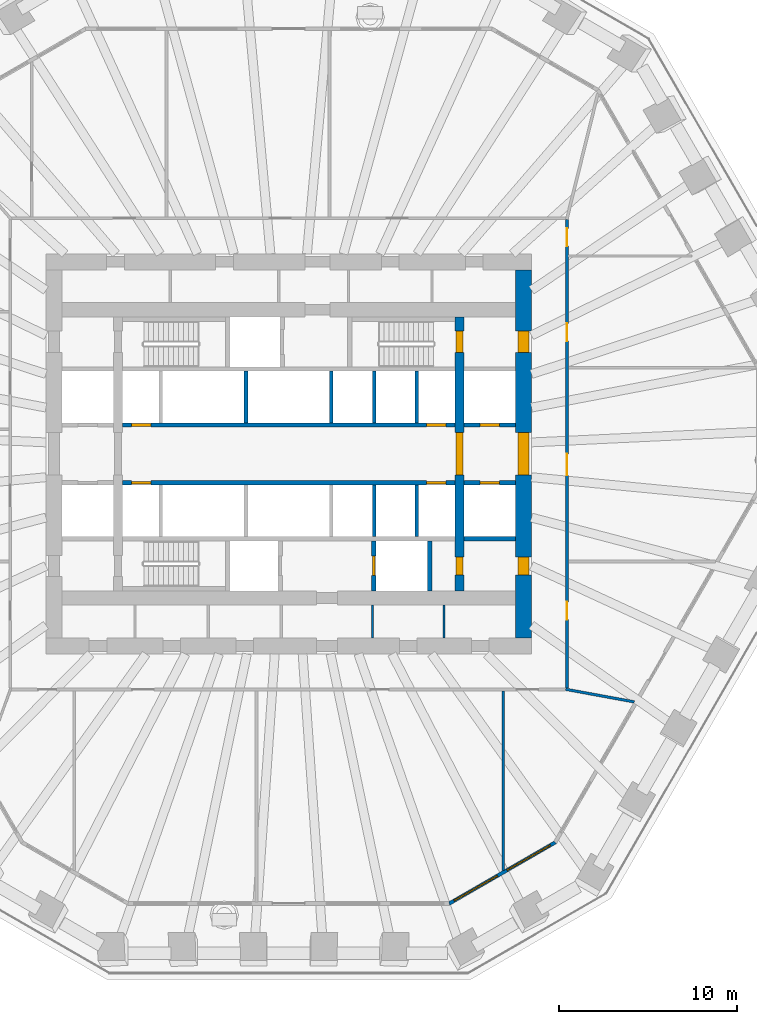
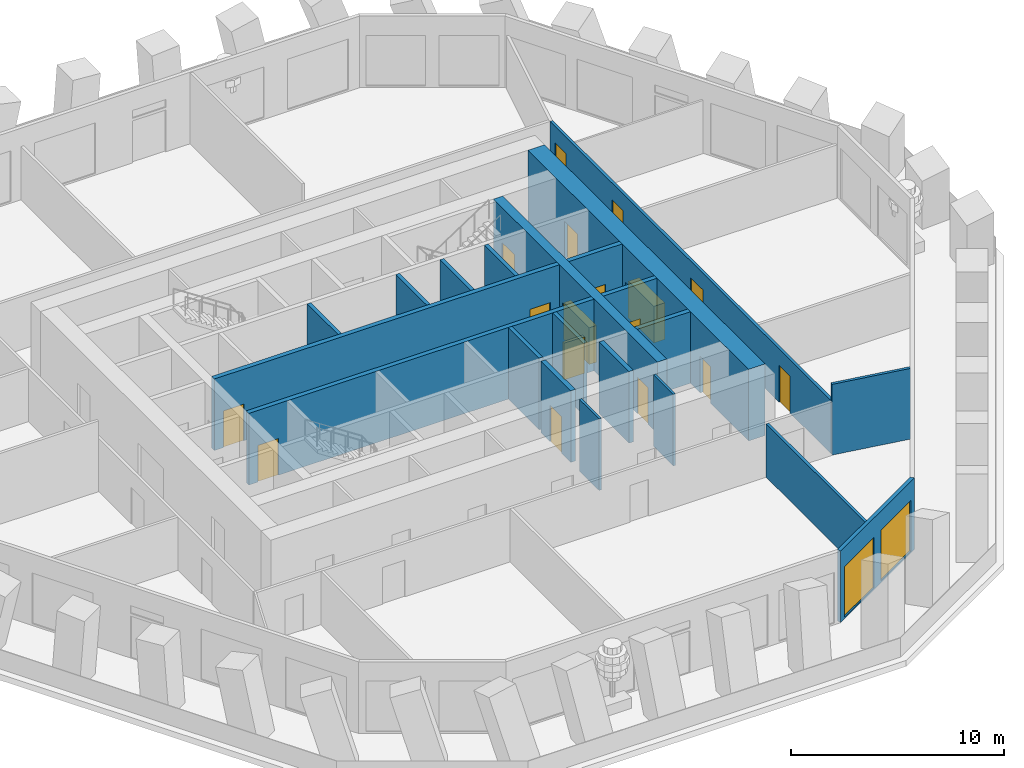
# One storey, part 5 of 11: 21 walls, 17 doors, 2 windows, 19 openings.
"""IFC4 building model written with IfcOpenShell, lengths in metres."""

from ifc_helpers import new_model, si_unit, direction, frame, frame_2d, origin, place, context, subcontext, project, spatial, polyline, rectangle, outline, extrude, material, layer, layer_set, type_object, element, fill, save


model = new_model("IFC4")

# Units and contexts
model_context = context("Model", 3, precision=1e-05, world=origin(), true_north=direction((0.0, 1.0)))
body_context = subcontext(model_context, "Body", "Model", "MODEL_VIEW")
ifc_project = project(units=[si_unit("LENGTHUNIT", "METRE"), si_unit("AREAUNIT", "SQUARE_METRE"), si_unit("VOLUMEUNIT", "CUBIC_METRE"), si_unit("PLANEANGLEUNIT", "RADIAN"), si_unit("MASSUNIT", "GRAM", prefix="KILO")], contexts=[model_context])

# Site, building, storey
site_placement = place(None, origin())
site = spatial("IfcSite", under=ifc_project, at=site_placement, CompositionType="ELEMENT")
building_placement = place(site_placement, origin())
building = spatial("IfcBuilding", under=site, at=building_placement, Name="Frailejon Research Tower", CompositionType="ELEMENT")
storey_placement = place(building_placement, frame((0.0, 0.0, 67.39990234375)))
storey = spatial("IfcBuildingStorey", under=building, at=storey_placement, Name="L15", CompositionType="ELEMENT", Elevation=67.39990234375)

# Walls
ifc_material_1 = material(Name="Plasterboard on steel studs", Category="steel")
ifc_layer_1 = layer(ifc_material_1, 0.125)
ifc_layer_set_1 = layer_set([ifc_layer_1], Name="Core partition 125")
wall_type_1 = type_object("IfcWallType", Name="Core partition 125", PredefinedType="PARTITIONING", material=ifc_layer_set_1)
for number, where, z_axis, x_axis, name in (
    (1, (4.71240234375, -10.35009765625, 0.0), (0.0, 0.0, 1.0), (0.0, 1.0, 0.0), "Core partition"),
    (2, (8.731201171875, -10.35009765625, 0.0), (0.0, 0.0, 1.0), (0.0, 1.0, 0.0), "Core partition"),
):
    element("IfcWall", number, at=place(storey_placement, frame(where, z_axis=z_axis, x_axis=x_axis)), inside=storey, type_object=wall_type_1, Name=name, PredefinedType="PARTITIONING", context=body_context, shape_type="SweptSolid", body=[
        extrude(rectangle(XDim=1.85009765625, YDim=0.125, at=frame_2d((0.925048828125, 0.0))), origin(), (0.0, 0.0, 1.0), 4.10009765625),
    ])

# Wall, openings, doors
ifc_material_2 = material(Name="Concrete C70/85", Category="concrete")
ifc_layer_2 = layer(ifc_material_2, 0.5)
ifc_layer_set_2 = layer_set([ifc_layer_2], Name="Core shear wall 500 C70/85")
wall_type_2 = type_object("IfcWallType", Name="Core shear wall 500 C70/85", PredefinedType="SHEAR", material=ifc_layer_set_2)
wall_1_placement = place(storey_placement, frame((9.60009765625, -7.699951171875, 0.0), z_axis=(0.0, 0.0, 1.0), x_axis=(0.0, 1.0, 0.0)))
wall_1 = element("IfcWall", 3, at=wall_1_placement, inside=storey, type_object=wall_type_2, Name="Core shear wall", PredefinedType="SHEAR", context=body_context, shape_type="SweptSolid", body=[
    extrude(rectangle(XDim=15.39990234375, YDim=0.5, at=frame_2d((7.699951171875, 0.0))), origin(), (0.0, 0.0, 1.0), 4.10009765625),
])
opening_1_placement = place(wall_1_placement, frame((6.5, 0.0, 0.0)))
opening_1 = element("IfcOpeningElement", 4, at=opening_1_placement, cuts=wall_1, Name="Opening D2", PredefinedType="OPENING", context=body_context, shape_type="SweptSolid", body=[
    extrude(rectangle(XDim=2.39990234375, YDim=2.10009765625, at=frame_2d((1.199951171875, 1.050048828125))), frame((0.0, 0.260009765625, 0.0), z_axis=(0.0, -1.0, 0.0), x_axis=(1.0, 0.0, 0.0)), (0.0, 0.0, 1.0), 0.52001953125),
])
opening_2_placement = place(wall_1_placement, frame((13.39990234375, 0.0, 0.0)))
opening_2 = element("IfcOpeningElement", 5, at=opening_2_placement, cuts=wall_1, Name="Opening D1", PredefinedType="OPENING", context=body_context, shape_type="SweptSolid", body=[
    extrude(rectangle(XDim=1.199951171875, YDim=2.10009765625, at=frame_2d((0.60009765625, 1.050048828125))), frame((0.0, 0.260009765625, 0.0), z_axis=(0.0, -1.0, 0.0), x_axis=(1.0, 0.0, 0.0)), (0.0, 0.0, 1.0), 0.52001953125),
])
opening_3_placement = place(wall_1_placement, frame((0.89990234375, 0.0, 0.0)))
opening_3 = element("IfcOpeningElement", 6, at=opening_3_placement, cuts=wall_1, Name="Opening D4", PredefinedType="OPENING", context=body_context, shape_type="SweptSolid", body=[
    extrude(rectangle(XDim=1.0, YDim=2.10009765625, at=frame_2d((0.5, 1.050048828125))), frame((0.0, 0.260009765625, 0.0), z_axis=(0.0, -1.0, 0.0), x_axis=(1.0, 0.0, 0.0)), (0.0, 0.0, 1.0), 0.52001953125),
])
ifc_material_3 = material(Name="Steel", Category="steel")
door_type_1 = type_object("IfcDoorType", Name="Lobby double door", OperationType="DOUBLE_DOOR_SINGLE_SWING", PredefinedType="DOOR", material=ifc_material_3)
door_1_placement = place(opening_1_placement, origin())
door_1 = element("IfcDoor", 7, at=door_1_placement, inside=storey, type_object=door_type_1, Name="Lobby door", OperationType="DOUBLE_DOOR_SINGLE_SWING", OverallHeight=2.10009765625, OverallWidth=2.39990234375, PredefinedType="DOOR", context=body_context, shape_type="SweptSolid", body=[
    extrude(rectangle(XDim=2.39990234375, YDim=2.10009765625, at=frame_2d((1.199951171875, 1.050048828125))), frame((0.0, 0.199951171875, 0.0), z_axis=(0.0, -1.0, 0.0), x_axis=(1.0, 0.0, 0.0)), (0.0, 0.0, 1.0), 0.39990234375),
])
fill(opening_1, door_1)
ifc_material_4 = material(Name="Steel", Category="steel")
door_type_2 = type_object("IfcDoorType", Name="Service door", OperationType="SINGLE_SWING_LEFT", PredefinedType="DOOR", material=ifc_material_4)
door_2_placement = place(opening_3_placement, origin())
door_2 = element("IfcDoor", 8, at=door_2_placement, inside=storey, type_object=door_type_2, Name="Riser door", OperationType="SINGLE_SWING_LEFT", OverallHeight=2.10009765625, OverallWidth=1.0, PredefinedType="DOOR", context=body_context, shape_type="SweptSolid", body=[
    extrude(rectangle(XDim=1.0, YDim=2.10009765625, at=frame_2d((0.5, 1.050048828125))), frame((0.0, 0.199951171875, 0.0), z_axis=(0.0, -1.0, 0.0), x_axis=(1.0, 0.0, 0.0)), (0.0, 0.0, 1.0), 0.39990234375),
])
fill(opening_3, door_2)
ifc_material_5 = material(Name="Steel", Category="steel")
door_type_3 = type_object("IfcDoorType", Name="Stair door", OperationType="SINGLE_SWING_LEFT", PredefinedType="DOOR", material=ifc_material_5)
door_3_placement = place(opening_2_placement, origin())
door_3 = element("IfcDoor", 9, at=door_3_placement, inside=storey, type_object=door_type_3, Name="Stair door ST3", OperationType="SINGLE_SWING_LEFT", OverallHeight=2.10009765625, OverallWidth=1.199951171875, PredefinedType="DOOR", context=body_context, shape_type="SweptSolid", body=[
    extrude(rectangle(XDim=1.199951171875, YDim=2.10009765625, at=frame_2d((0.60009765625, 1.050048828125))), frame((0.0, 0.199951171875, 0.0), z_axis=(0.0, -1.0, 0.0), x_axis=(1.0, 0.0, 0.0)), (0.0, 0.0, 1.0), 0.39990234375),
])
fill(opening_2, door_3)

ifc_material_6 = material(Name="Concrete C70/85", Category="concrete")
ifc_layer_3 = layer(ifc_material_6, 0.89990234375)
ifc_layer_set_3 = layer_set([ifc_layer_3], Name="Core shear wall 900 C70/85")
wall_type_3 = type_object("IfcWallType", Name="Core shear wall 900 C70/85", PredefinedType="SHEAR", material=ifc_layer_set_3)
wall_2_placement = place(storey_placement, frame((13.199951171875, -10.35009765625, 0.0), z_axis=(0.0, 0.0, 1.0), x_axis=(0.0, 1.0, 0.0)))
wall_2 = element("IfcWall", 10, at=wall_2_placement, inside=storey, type_object=wall_type_3, Name="Core shear wall", PredefinedType="SHEAR", context=body_context, shape_type="SweptSolid", body=[
    extrude(rectangle(XDim=20.7001953125, YDim=0.89990234375, at=frame_2d((10.35009765625, 0.0))), origin(), (0.0, 0.0, 1.0), 4.10009765625),
])
opening_4_placement = place(wall_2_placement, frame((9.14990234375, 0.0, 0.0)))
opening_4 = element("IfcOpeningElement", 11, at=opening_4_placement, cuts=wall_2, Name="Opening D2", PredefinedType="OPENING", context=body_context, shape_type="SweptSolid", body=[
    extrude(rectangle(XDim=2.39990234375, YDim=2.10009765625, at=frame_2d((1.199951171875, 1.050048828125))), frame((0.0, 0.4599609375, 0.0), z_axis=(0.0, -1.0, 0.0), x_axis=(1.0, 0.0, 0.0)), (0.0, 0.0, 1.0), 0.919921875),
])
opening_5_placement = place(wall_2_placement, frame((16.050048828125, 0.0, 0.0)))
opening_5 = element("IfcOpeningElement", 12, at=opening_5_placement, cuts=wall_2, Name="Opening D7", PredefinedType="OPENING", context=body_context, shape_type="SweptSolid", body=[
    extrude(rectangle(XDim=1.199951171875, YDim=2.10009765625, at=frame_2d((0.60009765625, 1.050048828125))), frame((0.0, 0.4599609375, 0.0), z_axis=(0.0, -1.0, 0.0), x_axis=(1.0, 0.0, 0.0)), (0.0, 0.0, 1.0), 0.919921875),
])
opening_6_placement = place(wall_2_placement, frame((3.550048828125, 0.0, 0.0)))
opening_6 = element("IfcOpeningElement", 13, at=opening_6_placement, cuts=wall_2, Name="Opening D4", PredefinedType="OPENING", context=body_context, shape_type="SweptSolid", body=[
    extrude(rectangle(XDim=1.0, YDim=2.10009765625, at=frame_2d((0.5, 1.050048828125))), frame((0.0, 0.4599609375, 0.0), z_axis=(0.0, -1.0, 0.0), x_axis=(1.0, 0.0, 0.0)), (0.0, 0.0, 1.0), 0.919921875),
])
door_4_placement = place(opening_4_placement, origin())
door_4 = element("IfcDoor", 14, at=door_4_placement, inside=storey, type_object=door_type_1, Name="Lobby door", OperationType="DOUBLE_DOOR_SINGLE_SWING", OverallHeight=2.10009765625, OverallWidth=2.39990234375, PredefinedType="DOOR", context=body_context, shape_type="SweptSolid", body=[
    extrude(rectangle(XDim=2.39990234375, YDim=2.10009765625, at=frame_2d((1.199951171875, 1.050048828125))), frame((0.0, 0.300048828125, 0.0), z_axis=(0.0, -1.0, 0.0), x_axis=(1.0, 0.0, 0.0)), (0.0, 0.0, 1.0), 0.60009765625),
])
fill(opening_4, door_4)
door_5_placement = place(opening_6_placement, origin())
door_5 = element("IfcDoor", 15, at=door_5_placement, inside=storey, type_object=door_type_2, Name="Store door", OperationType="SINGLE_SWING_RIGHT", OverallHeight=2.10009765625, OverallWidth=1.0, PredefinedType="DOOR", context=body_context, shape_type="SweptSolid", body=[
    extrude(rectangle(XDim=1.0, YDim=2.10009765625, at=frame_2d((0.5, 1.050048828125))), frame((0.0, 0.300048828125, 0.0), z_axis=(0.0, -1.0, 0.0), x_axis=(1.0, 0.0, 0.0)), (0.0, 0.0, 1.0), 0.60009765625),
])
fill(opening_6, door_5)
ifc_material_7 = material(Name="Steel", Category="steel")
door_type_4 = type_object("IfcDoorType", Name="Stair exit door", OperationType="SINGLE_SWING_LEFT", PredefinedType="DOOR", material=ifc_material_7)
door_6_placement = place(opening_5_placement, origin())
door_6 = element("IfcDoor", 16, at=door_6_placement, inside=storey, type_object=door_type_4, Name="Stair exit door ST3", OperationType="SINGLE_SWING_RIGHT", OverallHeight=2.10009765625, OverallWidth=1.199951171875, PredefinedType="DOOR", context=body_context, shape_type="SweptSolid", body=[
    extrude(rectangle(XDim=1.199951171875, YDim=2.10009765625, at=frame_2d((0.60009765625, 1.050048828125))), frame((0.0, 0.300048828125, 0.0), z_axis=(0.0, -1.0, 0.0), x_axis=(1.0, 0.0, 0.0)), (0.0, 0.0, 1.0), 0.60009765625),
])
fill(opening_5, door_6)

ifc_material_8 = material(Name="Gypsum board and masonry partition", Category="masonry")
ifc_layer_4 = layer(ifc_material_8, 0.14990234375)
ifc_layer_set_4 = layer_set([ifc_layer_4], Name="Corridor wall EI 60, gypsum on steel studs 150")
wall_type_4 = type_object("IfcWallType", Name="Corridor wall EI 60, gypsum on steel studs 150", PredefinedType="PARTITIONING", material=ifc_layer_set_4)
wall_3_placement = place(storey_placement, frame((15.64990234375, -13.175048828125, 0.0), z_axis=(0.0, 0.0, 1.0), x_axis=(0.0, 1.0, 0.0)))
wall_3 = element("IfcWall", 17, at=wall_3_placement, inside=storey, type_object=wall_type_4, Name="T:IW:L15:001", PredefinedType="PARTITIONING", context=body_context, shape_type="SweptSolid", body=[
    extrude(rectangle(XDim=26.35009765625, YDim=0.14990234375, at=frame_2d((13.175048828125, 0.0))), origin(), (0.0, 0.0, 1.0), 3.050048828125),
])
opening_7_placement = place(wall_3_placement, frame((19.515869140625, 0.0, 0.0)))
opening_7 = element("IfcOpeningElement", 18, at=opening_7_placement, cuts=wall_3, Name="Opening D1467", PredefinedType="OPENING", context=body_context, shape_type="SweptSolid", body=[
    extrude(rectangle(XDim=1.0, YDim=2.10009765625, at=frame_2d((0.5, 1.050048828125))), frame((0.0, 0.0849609375, 0.0), z_axis=(0.0, -1.0, 0.0), x_axis=(1.0, 0.0, 0.0)), (0.0, 0.0, 1.0), 0.169921875),
])
opening_8_placement = place(wall_3_placement, frame((24.861083984375, 0.0, 0.0)))
opening_8 = element("IfcOpeningElement", 19, at=opening_8_placement, cuts=wall_3, Name="Opening D1468", PredefinedType="OPENING", context=body_context, shape_type="SweptSolid", body=[
    extrude(rectangle(XDim=1.0, YDim=2.10009765625, at=frame_2d((0.5, 1.050048828125))), frame((0.0, 0.0849609375, 0.0), z_axis=(0.0, -1.0, 0.0), x_axis=(1.0, 0.0, 0.0)), (0.0, 0.0, 1.0), 0.169921875),
])
opening_9_placement = place(wall_3_placement, frame((3.850830078125, 0.0, 0.0)))
opening_9 = element("IfcOpeningElement", 20, at=opening_9_placement, cuts=wall_3, Name="Opening D1481", PredefinedType="OPENING", context=body_context, shape_type="SweptSolid", body=[
    extrude(rectangle(XDim=1.0, YDim=2.10009765625, at=frame_2d((0.5, 1.050048828125))), frame((0.0, 0.0849609375, 0.0), z_axis=(0.0, -1.0, 0.0), x_axis=(1.0, 0.0, 0.0)), (0.0, 0.0, 1.0), 0.169921875),
])
opening_10_placement = place(wall_3_placement, frame((11.97412109375, 0.0, 0.0)))
opening_10 = element("IfcOpeningElement", 21, at=opening_10_placement, cuts=wall_3, Name="Opening D1482", PredefinedType="OPENING", context=body_context, shape_type="SweptSolid", body=[
    extrude(rectangle(XDim=1.199951171875, YDim=2.10009765625, at=frame_2d((0.60009765625, 1.050048828125))), frame((0.0, 0.0849609375, 0.0), z_axis=(0.0, -1.0, 0.0), x_axis=(1.0, 0.0, 0.0)), (0.0, 0.0, 1.0), 0.169921875),
])
ifc_material_9 = material(Name="Timber door leaf", Category="wood")
door_type_5 = type_object("IfcDoorType", Name="Door laboratory, timber, vision panel 1200", OperationType="NOTDEFINED", PredefinedType="DOOR", material=ifc_material_9)
door_7_placement = place(opening_10_placement, origin())
door_7 = element("IfcDoor", 22, at=door_7_placement, inside=storey, type_object=door_type_5, Name="D1482", OperationType="DOUBLE_DOOR_SINGLE_SWING", OverallHeight=2.10009765625, OverallWidth=1.199951171875, PredefinedType="DOOR", context=body_context, shape_type="SweptSolid", body=[
    extrude(rectangle(XDim=1.199951171875, YDim=2.10009765625, at=frame_2d((0.60009765625, 1.050048828125))), frame((0.0, 0.02490234375, 0.0), z_axis=(0.0, -1.0, 0.0), x_axis=(1.0, 0.0, 0.0)), (0.0, 0.0, 1.0), 0.050048828125),
])
fill(opening_10, door_7)
ifc_material_10 = material(Name="Timber door leaf", Category="wood")
door_type_6 = type_object("IfcDoorType", Name="Door single leaf, timber, steel frame 1000", OperationType="NOTDEFINED", PredefinedType="DOOR", material=ifc_material_10)
door_8_placement = place(opening_7_placement, origin())
door_8 = element("IfcDoor", 23, at=door_8_placement, inside=storey, type_object=door_type_6, Name="D1467", OperationType="SINGLE_SWING_RIGHT", OverallHeight=2.10009765625, OverallWidth=1.0, PredefinedType="DOOR", context=body_context, shape_type="SweptSolid", body=[
    extrude(rectangle(XDim=1.0, YDim=2.10009765625, at=frame_2d((0.5, 1.050048828125))), frame((0.0, 0.02490234375, 0.0), z_axis=(0.0, -1.0, 0.0), x_axis=(1.0, 0.0, 0.0)), (0.0, 0.0, 1.0), 0.050048828125),
])
fill(opening_7, door_8)
door_9_placement = place(opening_8_placement, origin())
door_9 = element("IfcDoor", 24, at=door_9_placement, inside=storey, type_object=door_type_6, Name="D1468", OperationType="SINGLE_SWING_LEFT", OverallHeight=2.10009765625, OverallWidth=1.0, PredefinedType="DOOR", context=body_context, shape_type="SweptSolid", body=[
    extrude(rectangle(XDim=1.0, YDim=2.10009765625, at=frame_2d((0.5, 1.050048828125))), frame((0.0, 0.02490234375, 0.0), z_axis=(0.0, -1.0, 0.0), x_axis=(1.0, 0.0, 0.0)), (0.0, 0.0, 1.0), 0.050048828125),
])
fill(opening_8, door_9)
door_10_placement = place(opening_9_placement, origin())
door_10 = element("IfcDoor", 25, at=door_10_placement, inside=storey, type_object=door_type_6, Name="D1481", OperationType="SINGLE_SWING_LEFT", OverallHeight=2.10009765625, OverallWidth=1.0, PredefinedType="DOOR", context=body_context, shape_type="SweptSolid", body=[
    extrude(rectangle(XDim=1.0, YDim=2.10009765625, at=frame_2d((0.5, 1.050048828125))), frame((0.0, 0.02490234375, 0.0), z_axis=(0.0, -1.0, 0.0), x_axis=(1.0, 0.0, 0.0)), (0.0, 0.0, 1.0), 0.050048828125),
])
fill(opening_9, door_10)

# Walls
ifc_material_11 = material(Name="Gypsum board and masonry partition", Category="masonry")
ifc_layer_5 = layer(ifc_material_11, 0.14990234375)
ifc_layer_set_5 = layer_set([ifc_layer_5], Name="Laboratory partition, blockwork 150")
wall_type_5 = type_object("IfcWallType", Name="Laboratory partition, blockwork 150", PredefinedType="PARTITIONING", material=ifc_layer_set_5)
wall_4_placement = place(storey_placement, frame((12.05810546875, -23.419921875, 0.0), z_axis=(0.0, 0.0, 1.0), x_axis=(0.0, 1.0, 0.0)))
element("IfcWall", 26, at=wall_4_placement, inside=storey, type_object=wall_type_5, Name="T:IW:L15:017", PredefinedType="PARTITIONING", context=body_context, shape_type="SweptSolid", body=[
    extrude(rectangle(XDim=10.094970703125, YDim=0.14990234375, at=frame_2d((5.04736328125, 0.0))), origin(), (0.0, 0.0, 1.0), 3.050048828125),
])
wall_5_placement = place(storey_placement, frame((15.576171875, -13.236328125, 0.0), z_axis=(0.0, 0.0, 1.0), x_axis=(0.983499014775, -0.18091348191, 0.0)))
element("IfcWall", 27, at=wall_5_placement, inside=storey, type_object=wall_type_5, Name="T:IW:L15:018", PredefinedType="PARTITIONING", context=body_context, shape_type="SweptSolid", body=[
    extrude(rectangle(XDim=3.9189453125, YDim=0.14990234375, at=frame_2d((1.95947265625, 0.0))), origin(), (0.0, 0.0, 1.0), 4.050048828125),
])
ifc_material_12 = material(Name="Concrete C70/85", Category="concrete")
ifc_layer_6 = layer(ifc_material_12, 0.199951171875)
ifc_layer_set_6 = layer_set([ifc_layer_6], Name="Shaft wall 200 C70/85")
wall_type_6 = type_object("IfcWallType", Name="Shaft wall 200 C70/85", PredefinedType="SOLIDWALL", material=ifc_layer_set_6)
for number, where, z_axis, x_axis, name in (
    (28, (-2.39990234375, 1.75, 0.0), (0.0, 0.0, 1.0), (0.0, 1.0, 0.0), "Shaft wall"),
    (29, (2.39990234375, 1.75, 0.0), (0.0, 0.0, 1.0), (0.0, 1.0, 0.0), "Shaft wall"),
    (30, (4.800048828125, 1.75, 0.0), (0.0, 0.0, 1.0), (0.0, 1.0, 0.0), "Shaft wall"),
    (31, (7.199951171875, 1.75, 0.0), (0.0, 0.0, 1.0), (0.0, 1.0, 0.0), "Shaft wall"),
    (32, (4.800048828125, -4.64990234375, 0.0), (0.0, 0.0, 1.0), (0.0, 1.0, 0.0), "Shaft wall"),
    (33, (7.199951171875, -4.64990234375, 0.0), (0.0, 0.0, 1.0), (0.0, 1.0, 0.0), "Shaft wall"),
):
    element("IfcWall", number, at=place(storey_placement, frame(where, z_axis=z_axis, x_axis=x_axis)), inside=storey, type_object=wall_type_6, Name=name, PredefinedType="SOLIDWALL", context=body_context, shape_type="SweptSolid", body=[
        extrude(rectangle(XDim=2.89990234375, YDim=0.199951171875, at=frame_2d((1.449951171875, 0.0))), origin(), (0.0, 0.0, 1.0), 4.10009765625),
    ])

# Wall, openings, doors
ifc_material_13 = material(Name="Concrete C70/85", Category="concrete")
ifc_layer_7 = layer(ifc_material_13, 0.25)
ifc_layer_set_7 = layer_set([ifc_layer_7], Name="Shaft wall 250 C70/85")
wall_type_7 = type_object("IfcWallType", Name="Shaft wall 250 C70/85", PredefinedType="SOLIDWALL", material=ifc_layer_set_7)
wall_6_placement = place(storey_placement, frame((-9.35009765625, 1.625, 0.0), z_axis=(0.0, 0.0, 1.0), x_axis=(1.0, 0.0, 0.0)))
wall_6 = element("IfcWall", 34, at=wall_6_placement, inside=storey, type_object=wall_type_7, Name="Shaft wall", PredefinedType="SOLIDWALL", context=body_context, shape_type="SweptSolid", body=[
    extrude(rectangle(XDim=18.7001953125, YDim=0.25, at=frame_2d((9.35009765625, 0.0))), origin(), (0.0, 0.0, 1.0), 4.10009765625),
])
opening_11_placement = place(wall_6_placement, frame((0.5, 0.0, 0.0)))
opening_11 = element("IfcOpeningElement", 35, at=opening_11_placement, cuts=wall_6, Name="Opening LD", PredefinedType="OPENING", context=body_context, shape_type="SweptSolid", body=[
    extrude(rectangle(XDim=1.10009765625, YDim=2.10009765625, at=frame_2d((0.550048828125, 1.050048828125))), frame((0.0, 0.135009765625, 0.0), z_axis=(0.0, -1.0, 0.0), x_axis=(1.0, 0.0, 0.0)), (0.0, 0.0, 1.0), 0.27001953125),
])
opening_12_placement = place(wall_6_placement, frame((17.10009765625, 0.0, 0.0)))
opening_12 = element("IfcOpeningElement", 36, at=opening_12_placement, cuts=wall_6, Name="Opening LD", PredefinedType="OPENING", context=body_context, shape_type="SweptSolid", body=[
    extrude(rectangle(XDim=1.10009765625, YDim=2.10009765625, at=frame_2d((0.550048828125, 1.050048828125))), frame((0.0, 0.135009765625, 0.0), z_axis=(0.0, -1.0, 0.0), x_axis=(1.0, 0.0, 0.0)), (0.0, 0.0, 1.0), 0.27001953125),
])
ifc_material_14 = material(Name="Steel", Category="steel")
door_type_7 = type_object("IfcDoorType", Name="Lift landing door", OperationType="DOUBLE_DOOR_SLIDING", PredefinedType="DOOR", material=ifc_material_14)
door_11_placement = place(opening_11_placement, origin())
door_11 = element("IfcDoor", 37, at=door_11_placement, inside=storey, type_object=door_type_7, Name="Lift landing door", OperationType="DOUBLE_DOOR_SLIDING", OverallHeight=2.10009765625, OverallWidth=1.10009765625, PredefinedType="DOOR", context=body_context, shape_type="SweptSolid", body=[
    extrude(rectangle(XDim=1.10009765625, YDim=2.10009765625, at=frame_2d((0.550048828125, 1.050048828125))), frame((0.0, 0.074951171875, 0.0), z_axis=(0.0, -1.0, 0.0), x_axis=(1.0, 0.0, 0.0)), (0.0, 0.0, 1.0), 0.14990234375),
])
fill(opening_11, door_11)
door_12_placement = place(opening_12_placement, origin())
door_12 = element("IfcDoor", 38, at=door_12_placement, inside=storey, type_object=door_type_7, Name="Lift landing door", OperationType="DOUBLE_DOOR_SLIDING", OverallHeight=2.10009765625, OverallWidth=1.10009765625, PredefinedType="DOOR", context=body_context, shape_type="SweptSolid", body=[
    extrude(rectangle(XDim=1.10009765625, YDim=2.10009765625, at=frame_2d((0.550048828125, 1.050048828125))), frame((0.0, 0.074951171875, 0.0), z_axis=(0.0, -1.0, 0.0), x_axis=(1.0, 0.0, 0.0)), (0.0, 0.0, 1.0), 0.14990234375),
])
fill(opening_12, door_12)

# Wall, opening, door
wall_7_placement = place(storey_placement, frame((9.85009765625, 1.625, 0.0), z_axis=(0.0, 0.0, 1.0), x_axis=(1.0, 0.0, 0.0)))
wall_7 = element("IfcWall", 39, at=wall_7_placement, inside=storey, type_object=wall_type_7, Name="Shaft wall", PredefinedType="SOLIDWALL", context=body_context, shape_type="SweptSolid", body=[
    extrude(rectangle(XDim=2.89990234375, YDim=0.25, at=frame_2d((1.449951171875, 0.0))), origin(), (0.0, 0.0, 1.0), 4.10009765625),
])
opening_13_placement = place(wall_7_placement, frame((0.89990234375, 0.0, 0.0)))
opening_13 = element("IfcOpeningElement", 40, at=opening_13_placement, cuts=wall_7, Name="Opening LD", PredefinedType="OPENING", context=body_context, shape_type="SweptSolid", body=[
    extrude(rectangle(XDim=1.10009765625, YDim=2.10009765625, at=frame_2d((0.550048828125, 1.050048828125))), frame((0.0, 0.135009765625, 0.0), z_axis=(0.0, -1.0, 0.0), x_axis=(1.0, 0.0, 0.0)), (0.0, 0.0, 1.0), 0.27001953125),
])
door_13_placement = place(opening_13_placement, origin())
door_13 = element("IfcDoor", 41, at=door_13_placement, inside=storey, type_object=door_type_7, Name="Lift landing door", OperationType="DOUBLE_DOOR_SLIDING", OverallHeight=2.10009765625, OverallWidth=1.10009765625, PredefinedType="DOOR", context=body_context, shape_type="SweptSolid", body=[
    extrude(rectangle(XDim=1.10009765625, YDim=2.10009765625, at=frame_2d((0.550048828125, 1.050048828125))), frame((0.0, 0.074951171875, 0.0), z_axis=(0.0, -1.0, 0.0), x_axis=(1.0, 0.0, 0.0)), (0.0, 0.0, 1.0), 0.14990234375),
])
fill(opening_13, door_13)

# Wall, openings, doors
wall_8_placement = place(storey_placement, frame((-9.35009765625, -1.625, 0.0), z_axis=(0.0, 0.0, 1.0), x_axis=(1.0, 0.0, 0.0)))
wall_8 = element("IfcWall", 42, at=wall_8_placement, inside=storey, type_object=wall_type_7, Name="Shaft wall", PredefinedType="SOLIDWALL", context=body_context, shape_type="SweptSolid", body=[
    extrude(rectangle(XDim=18.7001953125, YDim=0.25, at=frame_2d((9.35009765625, 0.0))), origin(), (0.0, 0.0, 1.0), 4.10009765625),
])
opening_14_placement = place(wall_8_placement, frame((0.5, 0.0, 0.0)))
opening_14 = element("IfcOpeningElement", 43, at=opening_14_placement, cuts=wall_8, Name="Opening LD", PredefinedType="OPENING", context=body_context, shape_type="SweptSolid", body=[
    extrude(rectangle(XDim=1.10009765625, YDim=2.10009765625, at=frame_2d((0.550048828125, 1.050048828125))), frame((0.0, 0.135009765625, 0.0), z_axis=(0.0, -1.0, 0.0), x_axis=(1.0, 0.0, 0.0)), (0.0, 0.0, 1.0), 0.27001953125),
])
opening_15_placement = place(wall_8_placement, frame((17.10009765625, 0.0, 0.0)))
opening_15 = element("IfcOpeningElement", 44, at=opening_15_placement, cuts=wall_8, Name="Opening LD", PredefinedType="OPENING", context=body_context, shape_type="SweptSolid", body=[
    extrude(rectangle(XDim=1.10009765625, YDim=2.10009765625, at=frame_2d((0.550048828125, 1.050048828125))), frame((0.0, 0.135009765625, 0.0), z_axis=(0.0, -1.0, 0.0), x_axis=(1.0, 0.0, 0.0)), (0.0, 0.0, 1.0), 0.27001953125),
])
door_14_placement = place(opening_14_placement, origin())
door_14 = element("IfcDoor", 45, at=door_14_placement, inside=storey, type_object=door_type_7, Name="Lift landing door", OperationType="DOUBLE_DOOR_SLIDING", OverallHeight=2.10009765625, OverallWidth=1.10009765625, PredefinedType="DOOR", context=body_context, shape_type="SweptSolid", body=[
    extrude(rectangle(XDim=1.10009765625, YDim=2.10009765625, at=frame_2d((0.550048828125, 1.050048828125))), frame((0.0, 0.074951171875, 0.0), z_axis=(0.0, -1.0, 0.0), x_axis=(1.0, 0.0, 0.0)), (0.0, 0.0, 1.0), 0.14990234375),
])
fill(opening_14, door_14)
door_15_placement = place(opening_15_placement, origin())
door_15 = element("IfcDoor", 46, at=door_15_placement, inside=storey, type_object=door_type_7, Name="Lift landing door", OperationType="DOUBLE_DOOR_SLIDING", OverallHeight=2.10009765625, OverallWidth=1.10009765625, PredefinedType="DOOR", context=body_context, shape_type="SweptSolid", body=[
    extrude(rectangle(XDim=1.10009765625, YDim=2.10009765625, at=frame_2d((0.550048828125, 1.050048828125))), frame((0.0, 0.074951171875, 0.0), z_axis=(0.0, -1.0, 0.0), x_axis=(1.0, 0.0, 0.0)), (0.0, 0.0, 1.0), 0.14990234375),
])
fill(opening_15, door_15)

# Wall, opening, door
wall_9_placement = place(storey_placement, frame((9.85009765625, -1.625, 0.0), z_axis=(0.0, 0.0, 1.0), x_axis=(1.0, 0.0, 0.0)))
wall_9 = element("IfcWall", 47, at=wall_9_placement, inside=storey, type_object=wall_type_7, Name="Shaft wall", PredefinedType="SOLIDWALL", context=body_context, shape_type="SweptSolid", body=[
    extrude(rectangle(XDim=2.89990234375, YDim=0.25, at=frame_2d((1.449951171875, 0.0))), origin(), (0.0, 0.0, 1.0), 4.10009765625),
])
opening_16_placement = place(wall_9_placement, frame((0.89990234375, 0.0, 0.0)))
opening_16 = element("IfcOpeningElement", 48, at=opening_16_placement, cuts=wall_9, Name="Opening LD", PredefinedType="OPENING", context=body_context, shape_type="SweptSolid", body=[
    extrude(rectangle(XDim=1.10009765625, YDim=2.10009765625, at=frame_2d((0.550048828125, 1.050048828125))), frame((0.0, 0.135009765625, 0.0), z_axis=(0.0, -1.0, 0.0), x_axis=(1.0, 0.0, 0.0)), (0.0, 0.0, 1.0), 0.27001953125),
])
door_16_placement = place(opening_16_placement, origin())
door_16 = element("IfcDoor", 49, at=door_16_placement, inside=storey, type_object=door_type_7, Name="Lift landing door", OperationType="DOUBLE_DOOR_SLIDING", OverallHeight=2.10009765625, OverallWidth=1.10009765625, PredefinedType="DOOR", context=body_context, shape_type="SweptSolid", body=[
    extrude(rectangle(XDim=1.10009765625, YDim=2.10009765625, at=frame_2d((0.550048828125, 1.050048828125))), frame((0.0, 0.074951171875, 0.0), z_axis=(0.0, -1.0, 0.0), x_axis=(1.0, 0.0, 0.0)), (0.0, 0.0, 1.0), 0.14990234375),
])
fill(opening_16, door_16)

# Wall
wall_10_placement = place(storey_placement, frame((9.85009765625, -4.77490234375, 0.0), z_axis=(0.0, 0.0, 1.0), x_axis=(1.0, 0.0, 0.0)))
element("IfcWall", 50, at=wall_10_placement, inside=storey, type_object=wall_type_7, Name="Shaft wall", PredefinedType="SOLIDWALL", context=body_context, shape_type="SweptSolid", body=[
    extrude(rectangle(XDim=2.89990234375, YDim=0.25, at=frame_2d((1.449951171875, 0.0))), origin(), (0.0, 0.0, 1.0), 4.10009765625),
])

# Wall, opening, door
wall_11_placement = place(storey_placement, frame((4.77490234375, -7.699951171875, 0.0), z_axis=(0.0, 0.0, 1.0), x_axis=(0.0, 1.0, 0.0)))
wall_11 = element("IfcWall", 51, at=wall_11_placement, inside=storey, type_object=wall_type_7, Name="Shaft wall", PredefinedType="SOLIDWALL", context=body_context, shape_type="SweptSolid", body=[
    extrude(rectangle(XDim=2.800048828125, YDim=0.25, at=frame_2d((1.39990234375, 0.0))), origin(), (0.0, 0.0, 1.0), 4.10009765625),
])
opening_17_placement = place(wall_11_placement, frame((0.85009765625, 0.0, 0.0)))
opening_17 = element("IfcOpeningElement", 52, at=opening_17_placement, cuts=wall_11, Name="Opening LD", PredefinedType="OPENING", context=body_context, shape_type="SweptSolid", body=[
    extrude(rectangle(XDim=1.10009765625, YDim=2.10009765625, at=frame_2d((0.550048828125, 1.050048828125))), frame((0.0, 0.135009765625, 0.0), z_axis=(0.0, -1.0, 0.0), x_axis=(1.0, 0.0, 0.0)), (0.0, 0.0, 1.0), 0.27001953125),
])
door_17_placement = place(opening_17_placement, origin())
door_17 = element("IfcDoor", 53, at=door_17_placement, inside=storey, type_object=door_type_7, Name="Lift landing door", OperationType="DOUBLE_DOOR_SLIDING", OverallHeight=2.10009765625, OverallWidth=1.10009765625, PredefinedType="DOOR", context=body_context, shape_type="SweptSolid", body=[
    extrude(rectangle(XDim=1.10009765625, YDim=2.10009765625, at=frame_2d((0.550048828125, 1.050048828125))), frame((0.0, 0.074951171875, 0.0), z_axis=(0.0, -1.0, 0.0), x_axis=(1.0, 0.0, 0.0)), (0.0, 0.0, 1.0), 0.14990234375),
])
fill(opening_17, door_17)

# Wall
wall_12_placement = place(storey_placement, frame((7.925048828125, -7.699951171875, 0.0), z_axis=(0.0, 0.0, 1.0), x_axis=(0.0, 1.0, 0.0)))
element("IfcWall", 54, at=wall_12_placement, inside=storey, type_object=wall_type_7, Name="Shaft wall", PredefinedType="SOLIDWALL", context=body_context, shape_type="SweptSolid", body=[
    extrude(rectangle(XDim=2.800048828125, YDim=0.25, at=frame_2d((1.39990234375, 0.0))), origin(), (0.0, 0.0, 1.0), 4.10009765625),
])

# Wall, openings, windows
ifc_material_15 = material(Name="Concrete C40/50 precast window wall panel", Category="concrete")
ifc_layer_8 = layer(ifc_material_15, 0.199951171875)
ifc_layer_set_8 = layer_set([ifc_layer_8], Name="Window wall 200")
wall_type_8 = type_object("IfcWallType", Name="Window wall 200", PredefinedType="SOLIDWALL", material=ifc_layer_set_8)
wall_13_placement = place(storey_placement, frame((9.03125, -25.28271484375, 0.0), z_axis=(0.0, 0.0, 1.0), x_axis=(0.866029458321, 0.49999297727, 0.0)))
wall_13 = element("IfcWall", 55, at=wall_13_placement, inside=storey, type_object=wall_type_8, Name="Exterior wall L15", PredefinedType="SOLIDWALL", context=body_context, shape_type="SweptSolid", body=[
    extrude(outline(polyline([(-0.02685546875, -0.10009765625), (1.1279296875, -0.10009765625), (2.282470703125, -0.10009765625), (3.437255859375, -0.10009765625), (4.592041015625, -0.10009765625), (5.74658203125, -0.10009765625), (6.9013671875, -0.10009765625), (6.84765625, 0.10009765625), (5.7109375, 0.10009765625), (4.573974609375, 0.10009765625), (3.437255859375, 0.10009765625), (2.300537109375, 0.10009765625), (1.16357421875, 0.10009765625), (0.02685546875, 0.10009765625), (-0.02685546875, -0.10009765625)])), origin(), (0.0, 0.0, 1.0), 4.10009765625),
])
opening_18_placement = place(wall_13_placement, frame((0.318603515625, 0.0, 0.10009765625)))
opening_18 = element("IfcOpeningElement", 56, at=opening_18_placement, cuts=wall_13, Name="Opening W3", PredefinedType="OPENING", context=body_context, shape_type="SweptSolid", body=[
    extrude(rectangle(XDim=2.800048828125, YDim=2.89990234375, at=frame_2d((1.39990234375, 1.449951171875))), frame((0.0, 0.10986328125, 0.0), z_axis=(0.0, -1.0, 0.0), x_axis=(1.0, 0.0, 0.0)), (0.0, 0.0, 1.0), 0.219970703125),
])
opening_19_placement = place(wall_13_placement, frame((3.756103515625, 0.0, 0.10009765625)))
opening_19 = element("IfcOpeningElement", 57, at=opening_19_placement, cuts=wall_13, Name="Opening W3", PredefinedType="OPENING", context=body_context, shape_type="SweptSolid", body=[
    extrude(rectangle(XDim=2.800048828125, YDim=2.89990234375, at=frame_2d((1.39990234375, 1.449951171875))), frame((0.0, 0.10986328125, 0.0), z_axis=(0.0, -1.0, 0.0), x_axis=(1.0, 0.0, 0.0)), (0.0, 0.0, 1.0), 0.219970703125),
])
ifc_material_16 = material(Name="Aluminium framed double glazing", Category="aluminium")
window_type = type_object("IfcWindowType", Name="Window 2800x2900", PartitioningType="SINGLE_PANEL", PredefinedType="WINDOW", material=ifc_material_16)
window_1_placement = place(opening_18_placement, origin())
window_1 = element("IfcWindow", 58, at=window_1_placement, inside=storey, type_object=window_type, Name="Window L15", OverallHeight=2.89990234375, OverallWidth=2.800048828125, PartitioningType="SINGLE_PANEL", PredefinedType="WINDOW", context=body_context, shape_type="SweptSolid", body=[
    extrude(rectangle(XDim=2.800048828125, YDim=2.89990234375, at=frame_2d((1.39990234375, 1.449951171875))), frame((0.0, 0.030029296875, 0.0), z_axis=(0.0, -1.0, 0.0), x_axis=(1.0, 0.0, 0.0)), (0.0, 0.0, 1.0), 0.06005859375),
])
fill(opening_18, window_1)
window_2_placement = place(opening_19_placement, origin())
window_2 = element("IfcWindow", 59, at=window_2_placement, inside=storey, type_object=window_type, Name="Window L15", OverallHeight=2.89990234375, OverallWidth=2.800048828125, PartitioningType="SINGLE_PANEL", PredefinedType="WINDOW", context=body_context, shape_type="SweptSolid", body=[
    extrude(rectangle(XDim=2.800048828125, YDim=2.89990234375, at=frame_2d((1.39990234375, 1.449951171875))), frame((0.0, 0.030029296875, 0.0), z_axis=(0.0, -1.0, 0.0), x_axis=(1.0, 0.0, 0.0)), (0.0, 0.0, 1.0), 0.06005859375),
])
fill(opening_19, window_2)

save(model, "model.ifc")
